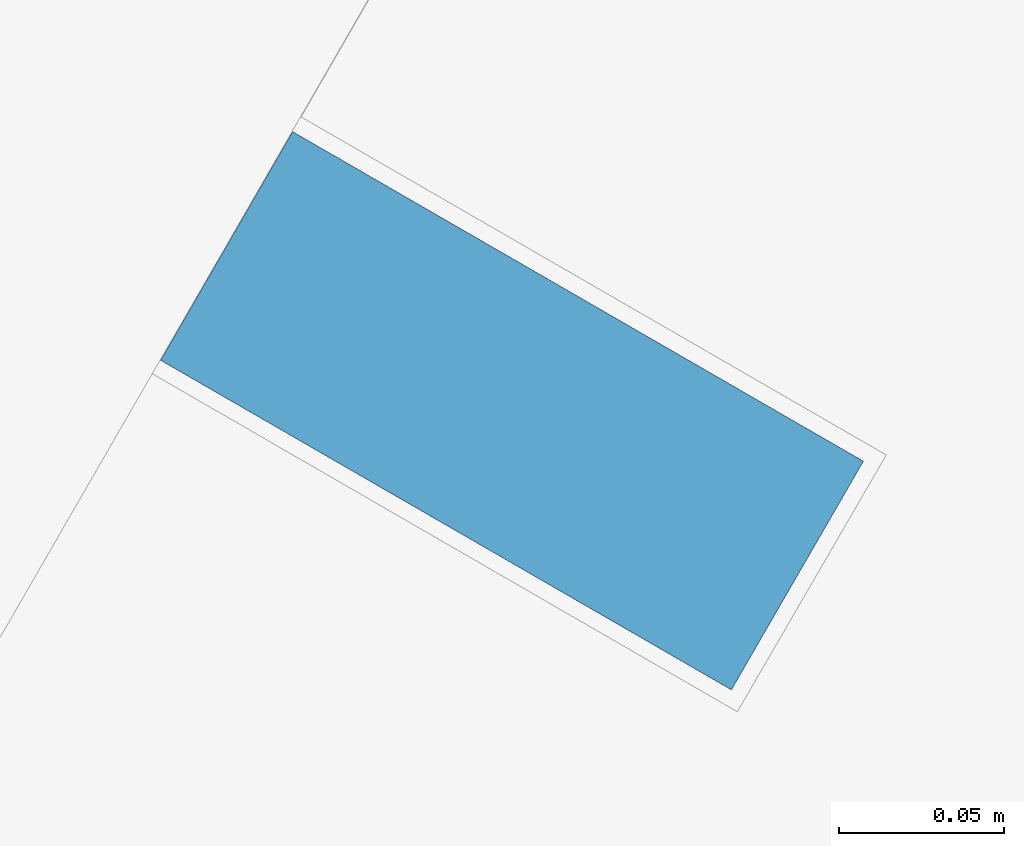
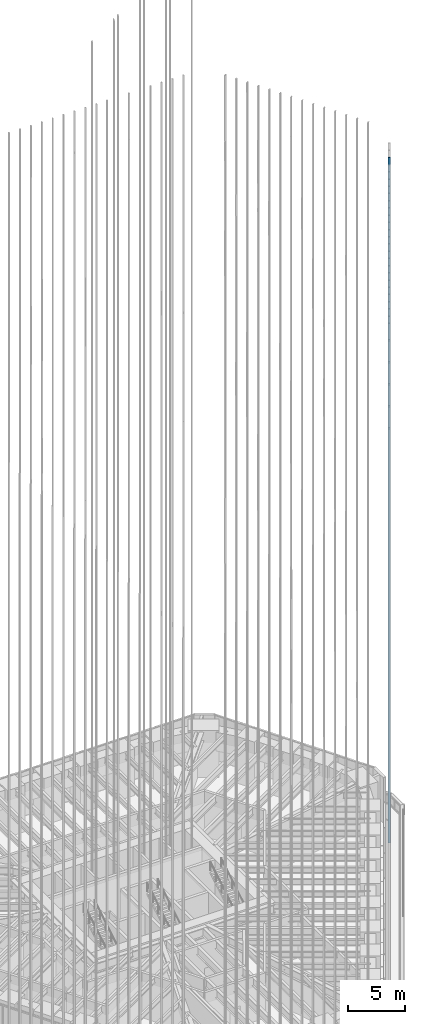
# One storey, part 125 of 228: 1 member, 1 element without a shape of its own.
"""IFC4 building model written with IfcOpenShell, lengths in metres."""

from ifc_helpers import new_model, si_unit, direction, frame, origin, origin_2d, place, context, subcontext, project, spatial, rectangle, extrude, material, material_profile, profile_set, type_object, element, aggregate, save


model = new_model("IFC4")

# Units and contexts
model_context = context("Model", 3, precision=1e-05, world=origin(), true_north=direction((0.0, 1.0)))
body_context = subcontext(model_context, "Body", "Model", "MODEL_VIEW")
ifc_project = project(units=[si_unit("LENGTHUNIT", "METRE"), si_unit("AREAUNIT", "SQUARE_METRE"), si_unit("VOLUMEUNIT", "CUBIC_METRE"), si_unit("PLANEANGLEUNIT", "RADIAN"), si_unit("MASSUNIT", "GRAM", prefix="KILO")], contexts=[model_context])

# Site, building, storey
site_placement = place(None, origin())
site = spatial("IfcSite", under=ifc_project, at=site_placement, CompositionType="ELEMENT")
building_placement = place(site_placement, origin())
building = spatial("IfcBuilding", under=site, at=building_placement, Name="Sandreach Pilgrim Tower", CompositionType="ELEMENT")
storey_placement = place(building_placement, frame((0.0, 0.0, 178.199951171875)))
storey = spatial("IfcBuildingStorey", under=building, at=storey_placement, Name="L44", CompositionType="ELEMENT", Elevation=178.199951171875)

# Curtain wall, member
ifc_material_1 = material(Name="Aluminium framed curtain wall", Category="aluminium")
curtain_wall_type = type_object("IfcCurtainWallType", Name="Upper hotel tower curtain wall", PredefinedType="NOTDEFINED", material=ifc_material_1)
curtain_wall_placement = place(storey_placement, origin())
curtain_wall = element("IfcCurtainWall", 1, at=curtain_wall_placement, inside=storey, type_object=curtain_wall_type, Name="CW-3 L44 SE", PredefinedType="NOTDEFINED")
ifc_material_2 = material(Name="Extruded terracotta on aluminium core", Category="masonry")
ifc_material_profile = material_profile(ifc_material_2, rectangle(XDim=0.080078125, YDim=0.199951171875, at=origin_2d()), Name="TBE 80X200")
ifc_profile_set = profile_set([ifc_material_profile], Name="Extruded terracotta on aluminium core")
member_type = type_object("IfcMemberType", Name="Terracotta baguette east", PredefinedType="USERDEFINED", material=ifc_profile_set)
member_placement = place(storey_placement, frame((25.830078125, 1.61865234375, 0.0), z_axis=(0.0, 0.0, 1.0), x_axis=(-0.5, -0.866025403784, 0.0)))
member = element("IfcMember", 2, at=member_placement, type_object=member_type, Name="Baguette Z3 SE03", ObjectType="BAGUETTE", PredefinedType="USERDEFINED", context=body_context, shape_type="SweptSolid", body=[
    extrude(rectangle(XDim=0.080078125, YDim=0.199951171875, at=origin_2d()), origin(), (0.0, 0.0, 1.0), 73.239990234375),
])
aggregate(curtain_wall, [member])

save(model, "model.ifc")
